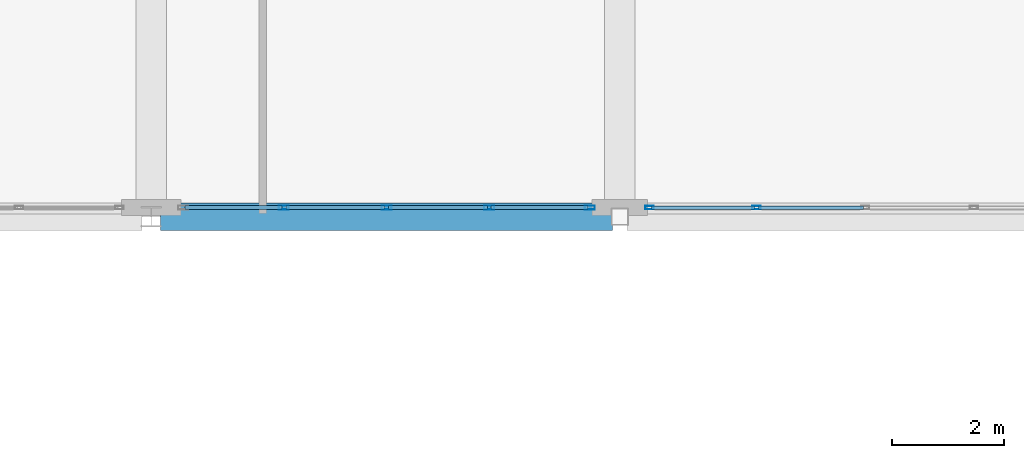
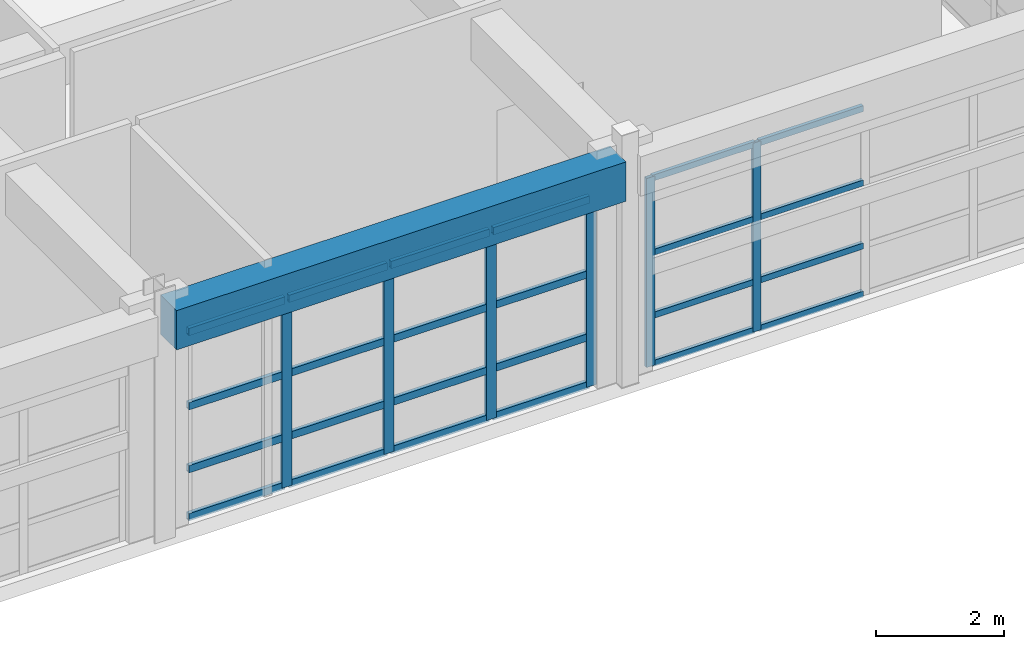
# One storey, part 77 of 123: 30 members, 1 beam, 2 elements without a shape of their own.
"""IFC4 building model written with IfcOpenShell, lengths in metres."""

from ifc_helpers import new_model, si_unit, direction, frame, origin, origin_2d, place, context, subcontext, project, spatial, rectangle, hollow_rectangle, extrude, material, layer, layer_set, material_profile, profile_set, type_object, element, aggregate, save


model = new_model("IFC4")

# Units and contexts
model_context = context("Model", 3, precision=1e-05, world=origin(), true_north=direction((0.0, 1.0)))
body_context = subcontext(model_context, "Body", "Model", "MODEL_VIEW")
ifc_project = project(units=[si_unit("LENGTHUNIT", "METRE"), si_unit("AREAUNIT", "SQUARE_METRE"), si_unit("VOLUMEUNIT", "CUBIC_METRE"), si_unit("PLANEANGLEUNIT", "RADIAN"), si_unit("MASSUNIT", "GRAM", prefix="KILO")], contexts=[model_context])

# Site, building, storey
site_placement = place(None, origin())
site = spatial("IfcSite", under=ifc_project, at=site_placement, CompositionType="ELEMENT")
building_placement = place(site_placement, origin())
building = spatial("IfcBuilding", under=site, at=building_placement, Name="Quendrovan Civic Courthouse", CompositionType="ELEMENT")
storey_placement = place(building_placement, frame((0.0, 0.0, 5.39990234375)))
storey = spatial("IfcBuildingStorey", under=building, at=storey_placement, Name="L02", CompositionType="ELEMENT", Elevation=5.39990234375)

# Beam
ifc_material_1 = material(Name="Concrete C40/50", Category="concrete")
ifc_material_profile_1 = material_profile(ifc_material_1, rectangle(XDim=0.5, YDim=0.75, at=origin_2d()), Name="RC-BM-500x750")
ifc_profile_set_1 = profile_set([ifc_material_profile_1], Name="Concrete C40/50")
beam_type = type_object("IfcBeamType", Name="BM-RC750", PredefinedType="SPANDREL", material=ifc_profile_set_1)
beam_placement = place(storey_placement, frame((142.967041015625, 87.60009765625, 3.985107421875), z_axis=(1.0, 0.0, 0.0), x_axis=(0.0, 1.0, 0.0)))
element("IfcBeam", 1, at=beam_placement, inside=storey, type_object=beam_type, Name="L02 Girder X0564", PredefinedType="SPANDREL", context=body_context, shape_type="SweptSolid", body=[
    extrude(rectangle(XDim=0.5, YDim=0.75, at=origin_2d()), origin(), (0.0, 0.0, 1.0), 8.10302734375),
])

# Curtain wall, members
ifc_material_2 = material(Name="Bronze anodised aluminium and low-E glass", Category="aluminium")
ifc_layer_1 = layer(ifc_material_2, 0.179931640625, Name="Bronze anodised aluminium and low-E glass")
ifc_layer_set_1 = layer_set([ifc_layer_1], Name="Bronze anodised aluminium and low-E glass")
curtain_wall_type_1 = type_object("IfcCurtainWallType", Name="CW-U74x36", PredefinedType="USERDEFINED", material=ifc_layer_set_1)
curtain_wall_1_placement = place(storey_placement, origin())
curtain_wall_1 = element("IfcCurtainWall", 2, at=curtain_wall_1_placement, inside=storey, type_object=curtain_wall_type_1, Name="L02 Unitised Hurricane Curtain Wall CW-100", ObjectType="UNITISED CURTAIN WALL", PredefinedType="USERDEFINED")
ifc_material_3 = material(Name="Bronze anodised aluminium", Category="aluminium")
ifc_material_profile_2 = material_profile(ifc_material_3, hollow_rectangle(XDim=0.070068359375, YDim=0.179931640625, WallThickness=0.00390625, at=origin_2d()), Name="CW-MULL-70x180")
ifc_profile_set_2 = profile_set([ifc_material_profile_2], Name="Bronze anodised aluminium")
member_type_1 = type_object("IfcMemberType", Name="CW-MULL-A", PredefinedType="MULLION", material=ifc_profile_set_2)
member_1_placement = place(storey_placement, frame((150.6650390625, 87.764892578125, 0.0), z_axis=(0.0, 0.0, 1.0), x_axis=(0.0, -1.0, 0.0)))
member_1 = element("IfcMember", 3, at=member_1_placement, type_object=member_type_1, Name="CW-100 mullion 1", PredefinedType="MULLION", context=body_context, shape_type="SweptSolid", body=[
    extrude(hollow_rectangle(XDim=0.070068359375, YDim=0.179931640625, WallThickness=0.00390625, at=origin_2d()), origin(), (0.0, 0.0, 1.0), 3.60009765625),
])
member_2_placement = place(storey_placement, frame((148.859130859375, 87.764892578125, 0.0), z_axis=(0.0, 0.0, 1.0), x_axis=(0.0, -1.0, 0.0)))
member_2 = element("IfcMember", 4, at=member_2_placement, type_object=member_type_1, Name="CW-100 mullion 2", PredefinedType="MULLION", context=body_context, shape_type="SweptSolid", body=[
    extrude(hollow_rectangle(XDim=0.070068359375, YDim=0.179931640625, WallThickness=0.00390625, at=origin_2d()), origin(), (0.0, 0.0, 1.0), 3.60009765625),
])
member_3_placement = place(storey_placement, frame((147.0185546875, 87.764892578125, 0.0), z_axis=(0.0, 0.0, 1.0), x_axis=(0.0, -1.0, 0.0)))
member_3 = element("IfcMember", 5, at=member_3_placement, type_object=member_type_1, Name="CW-100 mullion 3", PredefinedType="MULLION", context=body_context, shape_type="SweptSolid", body=[
    extrude(hollow_rectangle(XDim=0.070068359375, YDim=0.179931640625, WallThickness=0.00390625, at=origin_2d()), origin(), (0.0, 0.0, 1.0), 3.60009765625),
])
member_4_placement = place(storey_placement, frame((145.177734375, 87.764892578125, 0.0), z_axis=(0.0, 0.0, 1.0), x_axis=(0.0, -1.0, 0.0)))
member_4 = element("IfcMember", 6, at=member_4_placement, type_object=member_type_1, Name="CW-100 mullion 4", PredefinedType="MULLION", context=body_context, shape_type="SweptSolid", body=[
    extrude(hollow_rectangle(XDim=0.070068359375, YDim=0.179931640625, WallThickness=0.00390625, at=origin_2d()), origin(), (0.0, 0.0, 1.0), 3.60009765625),
])

ifc_layer_2 = layer(ifc_material_2, 0.179931640625, Name="Bronze anodised aluminium and low-E glass")
ifc_layer_set_2 = layer_set([ifc_layer_2], Name="Bronze anodised aluminium and low-E glass")
curtain_wall_type_2 = type_object("IfcCurtainWallType", Name="CW-U78x36", PredefinedType="USERDEFINED", material=ifc_layer_set_2)
curtain_wall_2_placement = place(storey_placement, origin())
curtain_wall_2 = element("IfcCurtainWall", 7, at=curtain_wall_2_placement, inside=storey, type_object=curtain_wall_type_2, Name="L02 Unitised Hurricane Curtain Wall CW-099", ObjectType="UNITISED CURTAIN WALL", PredefinedType="USERDEFINED")
ifc_material_profile_3 = material_profile(ifc_material_3, hollow_rectangle(XDim=0.06494140625, YDim=0.14990234375, WallThickness=0.00390625, at=origin_2d()), Name="CW-MULL-65x150")
ifc_profile_set_3 = profile_set([ifc_material_profile_3], Name="Bronze anodised aluminium")
member_type_2 = type_object("IfcMemberType", Name="CW-MULL-B", PredefinedType="MULLION", material=ifc_profile_set_3)
member_5_placement = place(storey_placement, frame((153.64990234375, 87.764892578125, 0.0), z_axis=(0.0, 0.0, 1.0), x_axis=(0.0, -1.0, 0.0)))
member_5 = element("IfcMember", 8, at=member_5_placement, type_object=member_type_2, Name="CW-099 mullion 4", PredefinedType="MULLION", context=body_context, shape_type="SweptSolid", body=[
    extrude(hollow_rectangle(XDim=0.06494140625, YDim=0.14990234375, WallThickness=0.00390625, at=origin_2d()), origin(), (0.0, 0.0, 1.0), 3.60009765625),
])
member_6_placement = place(storey_placement, frame((151.732421875, 87.764892578125, 0.0), z_axis=(0.0, 0.0, 1.0), x_axis=(0.0, -1.0, 0.0)))
member_6 = element("IfcMember", 9, at=member_6_placement, type_object=member_type_2, Name="CW-099 mullion 5", PredefinedType="MULLION", context=body_context, shape_type="SweptSolid", body=[
    extrude(hollow_rectangle(XDim=0.06494140625, YDim=0.14990234375, WallThickness=0.00390625, at=origin_2d()), origin(), (0.0, 0.0, 1.0), 3.60009765625),
])

# Member
ifc_material_profile_4 = material_profile(ifc_material_3, hollow_rectangle(XDim=0.070068359375, YDim=0.139892578125, WallThickness=0.00390625, at=origin_2d()), Name="CW-TRAN-70x140")
ifc_profile_set_4 = profile_set([ifc_material_profile_4], Name="Bronze anodised aluminium")
member_type_3 = type_object("IfcMemberType", Name="CW-TRAN-A", PredefinedType="USERDEFINED", material=ifc_profile_set_4)
member_7_placement = place(storey_placement, frame((150.6298828125, 87.764892578125, 0.03515625), z_axis=(-1.0, 0.0, 0.0), x_axis=(0.0, -1.0, 0.0)))
member_7 = element("IfcMember", 10, at=member_7_placement, type_object=member_type_3, Name="CW-100 transom 1.1", ObjectType="TRANSOM", PredefinedType="USERDEFINED", context=body_context, shape_type="SweptSolid", body=[
    extrude(hollow_rectangle(XDim=0.070068359375, YDim=0.139892578125, WallThickness=0.00390625, at=origin_2d()), origin(), (0.0, 0.0, 1.0), 1.735595703125),
])

member_8_placement = place(storey_placement, frame((150.6298828125, 87.764892578125, 0.9501953125), z_axis=(-1.0, 0.0, 0.0), x_axis=(0.0, -1.0, 0.0)))
member_8 = element("IfcMember", 11, at=member_8_placement, type_object=member_type_3, Name="CW-100 transom 1.2", ObjectType="TRANSOM", PredefinedType="USERDEFINED", context=body_context, shape_type="SweptSolid", body=[
    extrude(hollow_rectangle(XDim=0.070068359375, YDim=0.139892578125, WallThickness=0.00390625, at=origin_2d()), origin(), (0.0, 0.0, 1.0), 1.735595703125),
])

member_9_placement = place(storey_placement, frame((150.6298828125, 87.764892578125, 2.150146484375), z_axis=(-1.0, 0.0, 0.0), x_axis=(0.0, -1.0, 0.0)))
member_9 = element("IfcMember", 12, at=member_9_placement, type_object=member_type_3, Name="CW-100 transom 1.3", ObjectType="TRANSOM", PredefinedType="USERDEFINED", context=body_context, shape_type="SweptSolid", body=[
    extrude(hollow_rectangle(XDim=0.070068359375, YDim=0.139892578125, WallThickness=0.00390625, at=origin_2d()), origin(), (0.0, 0.0, 1.0), 1.735595703125),
])

member_10_placement = place(storey_placement, frame((150.6298828125, 87.764892578125, 3.565185546875), z_axis=(-1.0, 0.0, 0.0), x_axis=(0.0, -1.0, 0.0)))
member_10 = element("IfcMember", 13, at=member_10_placement, type_object=member_type_3, Name="CW-100 transom 1.4", ObjectType="TRANSOM", PredefinedType="USERDEFINED", context=body_context, shape_type="SweptSolid", body=[
    extrude(hollow_rectangle(XDim=0.070068359375, YDim=0.139892578125, WallThickness=0.00390625, at=origin_2d()), origin(), (0.0, 0.0, 1.0), 1.735595703125),
])

member_11_placement = place(storey_placement, frame((148.82421875, 87.764892578125, 0.03515625), z_axis=(-1.0, 0.0, 0.0), x_axis=(0.0, -1.0, 0.0)))
member_11 = element("IfcMember", 14, at=member_11_placement, type_object=member_type_3, Name="CW-100 transom 2.1", ObjectType="TRANSOM", PredefinedType="USERDEFINED", context=body_context, shape_type="SweptSolid", body=[
    extrude(hollow_rectangle(XDim=0.070068359375, YDim=0.139892578125, WallThickness=0.00390625, at=origin_2d()), origin(), (0.0, 0.0, 1.0), 1.770751953125),
])

member_12_placement = place(storey_placement, frame((148.82421875, 87.764892578125, 0.9501953125), z_axis=(-1.0, 0.0, 0.0), x_axis=(0.0, -1.0, 0.0)))
member_12 = element("IfcMember", 15, at=member_12_placement, type_object=member_type_3, Name="CW-100 transom 2.2", ObjectType="TRANSOM", PredefinedType="USERDEFINED", context=body_context, shape_type="SweptSolid", body=[
    extrude(hollow_rectangle(XDim=0.070068359375, YDim=0.139892578125, WallThickness=0.00390625, at=origin_2d()), origin(), (0.0, 0.0, 1.0), 1.770751953125),
])

member_13_placement = place(storey_placement, frame((148.82421875, 87.764892578125, 2.150146484375), z_axis=(-1.0, 0.0, 0.0), x_axis=(0.0, -1.0, 0.0)))
member_13 = element("IfcMember", 16, at=member_13_placement, type_object=member_type_3, Name="CW-100 transom 2.3", ObjectType="TRANSOM", PredefinedType="USERDEFINED", context=body_context, shape_type="SweptSolid", body=[
    extrude(hollow_rectangle(XDim=0.070068359375, YDim=0.139892578125, WallThickness=0.00390625, at=origin_2d()), origin(), (0.0, 0.0, 1.0), 1.770751953125),
])

member_14_placement = place(storey_placement, frame((148.82421875, 87.764892578125, 3.565185546875), z_axis=(-1.0, 0.0, 0.0), x_axis=(0.0, -1.0, 0.0)))
member_14 = element("IfcMember", 17, at=member_14_placement, type_object=member_type_3, Name="CW-100 transom 2.4", ObjectType="TRANSOM", PredefinedType="USERDEFINED", context=body_context, shape_type="SweptSolid", body=[
    extrude(hollow_rectangle(XDim=0.070068359375, YDim=0.139892578125, WallThickness=0.00390625, at=origin_2d()), origin(), (0.0, 0.0, 1.0), 1.770751953125),
])

member_15_placement = place(storey_placement, frame((146.9833984375, 87.764892578125, 0.03515625), z_axis=(-1.0, 0.0, 0.0), x_axis=(0.0, -1.0, 0.0)))
member_15 = element("IfcMember", 18, at=member_15_placement, type_object=member_type_3, Name="CW-100 transom 3.1", ObjectType="TRANSOM", PredefinedType="USERDEFINED", context=body_context, shape_type="SweptSolid", body=[
    extrude(hollow_rectangle(XDim=0.070068359375, YDim=0.139892578125, WallThickness=0.00390625, at=origin_2d()), origin(), (0.0, 0.0, 1.0), 1.770751953125),
])

member_16_placement = place(storey_placement, frame((146.9833984375, 87.764892578125, 0.9501953125), z_axis=(-1.0, 0.0, 0.0), x_axis=(0.0, -1.0, 0.0)))
member_16 = element("IfcMember", 19, at=member_16_placement, type_object=member_type_3, Name="CW-100 transom 3.2", ObjectType="TRANSOM", PredefinedType="USERDEFINED", context=body_context, shape_type="SweptSolid", body=[
    extrude(hollow_rectangle(XDim=0.070068359375, YDim=0.139892578125, WallThickness=0.00390625, at=origin_2d()), origin(), (0.0, 0.0, 1.0), 1.770751953125),
])

member_17_placement = place(storey_placement, frame((146.9833984375, 87.764892578125, 2.150146484375), z_axis=(-1.0, 0.0, 0.0), x_axis=(0.0, -1.0, 0.0)))
member_17 = element("IfcMember", 20, at=member_17_placement, type_object=member_type_3, Name="CW-100 transom 3.3", ObjectType="TRANSOM", PredefinedType="USERDEFINED", context=body_context, shape_type="SweptSolid", body=[
    extrude(hollow_rectangle(XDim=0.070068359375, YDim=0.139892578125, WallThickness=0.00390625, at=origin_2d()), origin(), (0.0, 0.0, 1.0), 1.770751953125),
])

member_18_placement = place(storey_placement, frame((146.9833984375, 87.764892578125, 3.565185546875), z_axis=(-1.0, 0.0, 0.0), x_axis=(0.0, -1.0, 0.0)))
member_18 = element("IfcMember", 21, at=member_18_placement, type_object=member_type_3, Name="CW-100 transom 3.4", ObjectType="TRANSOM", PredefinedType="USERDEFINED", context=body_context, shape_type="SweptSolid", body=[
    extrude(hollow_rectangle(XDim=0.070068359375, YDim=0.139892578125, WallThickness=0.00390625, at=origin_2d()), origin(), (0.0, 0.0, 1.0), 1.770751953125),
])

member_19_placement = place(storey_placement, frame((145.142822265625, 87.764892578125, 0.03515625), z_axis=(-1.0, 0.0, 0.0), x_axis=(0.0, -1.0, 0.0)))
member_19 = element("IfcMember", 22, at=member_19_placement, type_object=member_type_3, Name="CW-100 transom 4.1", ObjectType="TRANSOM", PredefinedType="USERDEFINED", context=body_context, shape_type="SweptSolid", body=[
    extrude(hollow_rectangle(XDim=0.070068359375, YDim=0.139892578125, WallThickness=0.00390625, at=origin_2d()), origin(), (0.0, 0.0, 1.0), 1.73583984375),
])

member_20_placement = place(storey_placement, frame((145.142822265625, 87.764892578125, 0.9501953125), z_axis=(-1.0, 0.0, 0.0), x_axis=(0.0, -1.0, 0.0)))
member_20 = element("IfcMember", 23, at=member_20_placement, type_object=member_type_3, Name="CW-100 transom 4.2", ObjectType="TRANSOM", PredefinedType="USERDEFINED", context=body_context, shape_type="SweptSolid", body=[
    extrude(hollow_rectangle(XDim=0.070068359375, YDim=0.139892578125, WallThickness=0.00390625, at=origin_2d()), origin(), (0.0, 0.0, 1.0), 1.73583984375),
])

member_21_placement = place(storey_placement, frame((145.142822265625, 87.764892578125, 2.150146484375), z_axis=(-1.0, 0.0, 0.0), x_axis=(0.0, -1.0, 0.0)))
member_21 = element("IfcMember", 24, at=member_21_placement, type_object=member_type_3, Name="CW-100 transom 4.3", ObjectType="TRANSOM", PredefinedType="USERDEFINED", context=body_context, shape_type="SweptSolid", body=[
    extrude(hollow_rectangle(XDim=0.070068359375, YDim=0.139892578125, WallThickness=0.00390625, at=origin_2d()), origin(), (0.0, 0.0, 1.0), 1.73583984375),
])

member_22_placement = place(storey_placement, frame((145.142822265625, 87.764892578125, 3.565185546875), z_axis=(-1.0, 0.0, 0.0), x_axis=(0.0, -1.0, 0.0)))
member_22 = element("IfcMember", 25, at=member_22_placement, type_object=member_type_3, Name="CW-100 transom 4.4", ObjectType="TRANSOM", PredefinedType="USERDEFINED", context=body_context, shape_type="SweptSolid", body=[
    extrude(hollow_rectangle(XDim=0.070068359375, YDim=0.139892578125, WallThickness=0.00390625, at=origin_2d()), origin(), (0.0, 0.0, 1.0), 1.73583984375),
])

aggregate(curtain_wall_1, [member_1, member_2, member_3, member_4, member_7, member_8, member_9, member_10, member_11, member_12, member_13, member_14, member_15, member_16, member_17, member_18, member_19, member_20, member_21, member_22])

ifc_material_profile_5 = material_profile(ifc_material_3, hollow_rectangle(XDim=0.06494140625, YDim=0.114990234375, WallThickness=0.00390625, at=origin_2d()), Name="CW-TRAN-65x115")
ifc_profile_set_5 = profile_set([ifc_material_profile_5], Name="Bronze anodised aluminium")
member_type_4 = type_object("IfcMemberType", Name="CW-TRAN-B", PredefinedType="USERDEFINED", material=ifc_profile_set_5)
member_23_placement = place(storey_placement, frame((155.5673828125, 87.764892578125, 0.03271484375), z_axis=(-1.0, 0.0, 0.0), x_axis=(0.0, -1.0, 0.0)))
member_23 = element("IfcMember", 26, at=member_23_placement, type_object=member_type_4, Name="CW-099 transom 3.1", ObjectType="TRANSOM", PredefinedType="USERDEFINED", context=body_context, shape_type="SweptSolid", body=[
    extrude(hollow_rectangle(XDim=0.06494140625, YDim=0.114990234375, WallThickness=0.00390625, at=origin_2d()), origin(), (0.0, 0.0, 1.0), 1.884765625),
])

member_24_placement = place(storey_placement, frame((155.5673828125, 87.764892578125, 0.9501953125), z_axis=(-1.0, 0.0, 0.0), x_axis=(0.0, -1.0, 0.0)))
member_24 = element("IfcMember", 27, at=member_24_placement, type_object=member_type_4, Name="CW-099 transom 3.2", ObjectType="TRANSOM", PredefinedType="USERDEFINED", context=body_context, shape_type="SweptSolid", body=[
    extrude(hollow_rectangle(XDim=0.06494140625, YDim=0.114990234375, WallThickness=0.00390625, at=origin_2d()), origin(), (0.0, 0.0, 1.0), 1.884765625),
])

member_25_placement = place(storey_placement, frame((155.5673828125, 87.764892578125, 2.150146484375), z_axis=(-1.0, 0.0, 0.0), x_axis=(0.0, -1.0, 0.0)))
member_25 = element("IfcMember", 28, at=member_25_placement, type_object=member_type_4, Name="CW-099 transom 3.3", ObjectType="TRANSOM", PredefinedType="USERDEFINED", context=body_context, shape_type="SweptSolid", body=[
    extrude(hollow_rectangle(XDim=0.06494140625, YDim=0.114990234375, WallThickness=0.00390625, at=origin_2d()), origin(), (0.0, 0.0, 1.0), 1.884765625),
])

member_26_placement = place(storey_placement, frame((155.5673828125, 87.764892578125, 3.567626953125), z_axis=(-1.0, 0.0, 0.0), x_axis=(0.0, -1.0, 0.0)))
member_26 = element("IfcMember", 29, at=member_26_placement, type_object=member_type_4, Name="CW-099 transom 3.4", ObjectType="TRANSOM", PredefinedType="USERDEFINED", context=body_context, shape_type="SweptSolid", body=[
    extrude(hollow_rectangle(XDim=0.06494140625, YDim=0.114990234375, WallThickness=0.00390625, at=origin_2d()), origin(), (0.0, 0.0, 1.0), 1.884765625),
])

member_27_placement = place(storey_placement, frame((153.617431640625, 87.764892578125, 0.03271484375), z_axis=(-1.0, 0.0, 0.0), x_axis=(0.0, -1.0, 0.0)))
member_27 = element("IfcMember", 30, at=member_27_placement, type_object=member_type_4, Name="CW-099 transom 4.1", ObjectType="TRANSOM", PredefinedType="USERDEFINED", context=body_context, shape_type="SweptSolid", body=[
    extrude(hollow_rectangle(XDim=0.06494140625, YDim=0.114990234375, WallThickness=0.00390625, at=origin_2d()), origin(), (0.0, 0.0, 1.0), 1.8525390625),
])

member_28_placement = place(storey_placement, frame((153.617431640625, 87.764892578125, 0.9501953125), z_axis=(-1.0, 0.0, 0.0), x_axis=(0.0, -1.0, 0.0)))
member_28 = element("IfcMember", 31, at=member_28_placement, type_object=member_type_4, Name="CW-099 transom 4.2", ObjectType="TRANSOM", PredefinedType="USERDEFINED", context=body_context, shape_type="SweptSolid", body=[
    extrude(hollow_rectangle(XDim=0.06494140625, YDim=0.114990234375, WallThickness=0.00390625, at=origin_2d()), origin(), (0.0, 0.0, 1.0), 1.8525390625),
])

member_29_placement = place(storey_placement, frame((153.617431640625, 87.764892578125, 2.150146484375), z_axis=(-1.0, 0.0, 0.0), x_axis=(0.0, -1.0, 0.0)))
member_29 = element("IfcMember", 32, at=member_29_placement, type_object=member_type_4, Name="CW-099 transom 4.3", ObjectType="TRANSOM", PredefinedType="USERDEFINED", context=body_context, shape_type="SweptSolid", body=[
    extrude(hollow_rectangle(XDim=0.06494140625, YDim=0.114990234375, WallThickness=0.00390625, at=origin_2d()), origin(), (0.0, 0.0, 1.0), 1.8525390625),
])

member_30_placement = place(storey_placement, frame((153.617431640625, 87.764892578125, 3.567626953125), z_axis=(-1.0, 0.0, 0.0), x_axis=(0.0, -1.0, 0.0)))
member_30 = element("IfcMember", 33, at=member_30_placement, type_object=member_type_4, Name="CW-099 transom 4.4", ObjectType="TRANSOM", PredefinedType="USERDEFINED", context=body_context, shape_type="SweptSolid", body=[
    extrude(hollow_rectangle(XDim=0.06494140625, YDim=0.114990234375, WallThickness=0.00390625, at=origin_2d()), origin(), (0.0, 0.0, 1.0), 1.8525390625),
])

aggregate(curtain_wall_2, [member_5, member_6, member_23, member_24, member_25, member_26, member_27, member_28, member_29, member_30])

save(model, "model.ifc")
